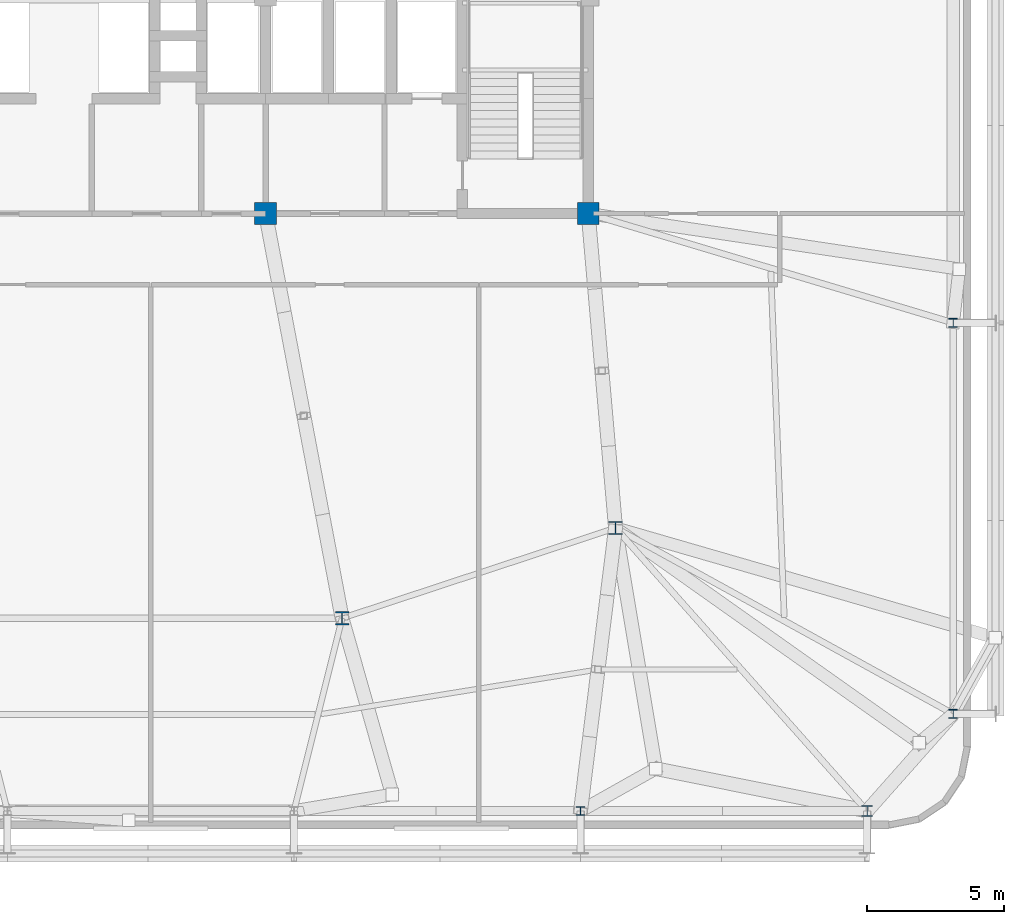
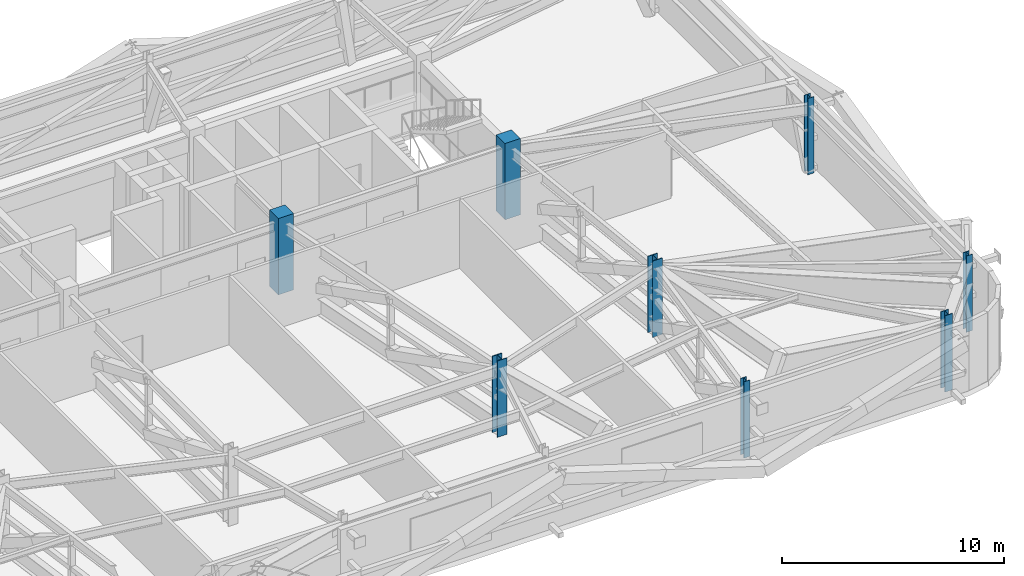
# One storey, part 2 of 24: 8 columns.
"""IFC4 building model written with IfcOpenShell, lengths in metres."""

from ifc_helpers import new_model, si_unit, direction, frame, origin, origin_2d, place, context, subcontext, project, spatial, rectangle, i_section, extrude, source, transform, mapped, material, material_profile, profile_set, type_object, element, save


model = new_model("IFC4")

# Units and contexts
model_context = context("Model", 3, precision=1e-05, world=origin(), true_north=direction((0.0, 1.0)))
body_context = subcontext(model_context, "Body", "Model", "MODEL_VIEW")
ifc_project = project(units=[si_unit("LENGTHUNIT", "METRE"), si_unit("AREAUNIT", "SQUARE_METRE"), si_unit("VOLUMEUNIT", "CUBIC_METRE"), si_unit("PLANEANGLEUNIT", "RADIAN"), si_unit("MASSUNIT", "GRAM", prefix="KILO")], contexts=[model_context])

# Site, building, storey
site_placement = place(None, origin())
site = spatial("IfcSite", under=ifc_project, at=site_placement, CompositionType="ELEMENT")
building_placement = place(site_placement, origin())
building = spatial("IfcBuilding", under=site, at=building_placement, Name="Taldren Reach Tower", CompositionType="ELEMENT")
storey_placement = place(building_placement, frame((0.0, 0.0, 60.89990234375)))
storey = spatial("IfcBuildingStorey", under=building, at=storey_placement, Name="L18", CompositionType="ELEMENT", Elevation=60.89990234375)

# Columns
ifc_material_1 = material(Name="Concrete S65 (65 MPa)", Category="concrete")
ifc_material_profile_1 = material_profile(ifc_material_1, rectangle(XDim=0.800048828125, YDim=0.800048828125, at=origin_2d()), Name="RC-800x800")
ifc_profile_set_1 = profile_set([ifc_material_profile_1], Name="Concrete S65 (65 MPa)")
column_type_1 = type_object("IfcColumnType", Name="COL-RC800", PredefinedType="COLUMN", material=ifc_profile_set_1)
shared_shape_1 = source(origin(), body_context, "Body", "SweptSolid", [
    extrude(rectangle(XDim=0.800048828125, YDim=0.800048828125, at=origin_2d()), origin(), (0.0, 0.0, 1.0), 4.2001953125),
])
for number, where, z_axis, x_axis, name in (
    (1, (39.199951171875, 24.0, 0.0), (0.0, 0.0, 1.0), (1.0, 0.0, 0.0), "Mega column MC-C3 L18"),
    (2, (51.0, 24.0, 0.0), (0.0, 0.0, 1.0), (1.0, 0.0, 0.0), "Mega column MC-C4 L18"),
):
    element("IfcColumn", number, at=place(storey_placement, frame(where, z_axis=z_axis, x_axis=x_axis)), inside=storey, type_object=column_type_1, Name=name, PredefinedType="COLUMN", context=body_context, shape_type="MappedRepresentation", body=[
        mapped(shared_shape_1, transform((0.0, 0.0, 0.0), scale=1.0)),
    ])
ifc_material_2 = material(Name="Steel Gr 350 (350PLUS)", Category="steel")
ifc_material_profile_2 = material_profile(ifc_material_2, i_section(OverallWidth=0.5, OverallDepth=0.47998046875, WebThickness=0.028076171875, FlangeThickness=0.0439453125, at=origin_2d()), Name="500WC440")
ifc_profile_set_2 = profile_set([ifc_material_profile_2], Name="Steel Gr 350 (350PLUS)")
column_type_2 = type_object("IfcColumnType", Name="COL-WC500A", PredefinedType="COLUMN", material=ifc_profile_set_2)
shared_shape_2 = source(origin(), body_context, "Body", "SweptSolid", [
    extrude(i_section(OverallWidth=0.5, OverallDepth=0.47998046875, WebThickness=0.028076171875, FlangeThickness=0.0439453125, at=origin_2d()), origin(), (0.0, 0.0, 1.0), 4.2001953125),
])
column_1_placement = place(storey_placement, frame((42.0, 9.199951171875, 0.0), z_axis=(0.0, 0.0, 1.0), x_axis=(1.0, 0.0, 0.0)))
element("IfcColumn", 3, at=column_1_placement, inside=storey, type_object=column_type_2, Name="Mega column MC-PJE L18", PredefinedType="COLUMN", context=body_context, shape_type="MappedRepresentation", body=[
    mapped(shared_shape_2, transform((0.0, 0.0, 0.0), scale=1.0)),
])
ifc_material_profile_3 = material_profile(ifc_material_2, i_section(OverallWidth=0.5, OverallDepth=0.464111328125, WebThickness=0.02197265625, FlangeThickness=0.033935546875, at=origin_2d()), Name="500WC340")
ifc_profile_set_3 = profile_set([ifc_material_profile_3], Name="Steel Gr 350 (350PLUS)")
column_type_3 = type_object("IfcColumnType", Name="COL-WC500B", PredefinedType="COLUMN", material=ifc_profile_set_3)
shared_shape_3 = source(origin(), body_context, "Body", "SweptSolid", [
    extrude(i_section(OverallWidth=0.5, OverallDepth=0.464111328125, WebThickness=0.02197265625, FlangeThickness=0.033935546875, at=origin_2d()), origin(), (0.0, 0.0, 1.0), 4.2001953125),
])
column_2_placement = place(storey_placement, frame((52.0, 12.5, 0.0), z_axis=(0.0, 0.0, 1.0), x_axis=(1.0, 0.0, 0.0)))
element("IfcColumn", 4, at=column_2_placement, inside=storey, type_object=column_type_3, Name="Mega column MC-SE L18", PredefinedType="COLUMN", context=body_context, shape_type="MappedRepresentation", body=[
    mapped(shared_shape_3, transform((0.0, 0.0, 0.0), scale=1.0)),
])
ifc_material_profile_4 = material_profile(ifc_material_2, i_section(OverallWidth=0.39990234375, OverallDepth=0.39599609375, WebThickness=0.02197265625, FlangeThickness=0.033935546875, at=origin_2d()), Name="400WC270")
ifc_profile_set_4 = profile_set([ifc_material_profile_4], Name="Steel Gr 350 (350PLUS)")
column_type_4 = type_object("IfcColumnType", Name="COL-WC400", PredefinedType="COLUMN", material=ifc_profile_set_4)
shared_shape_4 = source(origin(), body_context, "Body", "SweptSolid", [
    extrude(i_section(OverallWidth=0.39990234375, OverallDepth=0.39599609375, WebThickness=0.02197265625, FlangeThickness=0.033935546875, at=origin_2d()), origin(), (0.0, 0.0, 1.0), 4.2001953125),
])
column_3_placement = place(storey_placement, frame((61.199951171875, 2.14990234375, 0.0), z_axis=(0.0, 0.0, 1.0), x_axis=(1.0, 0.0, 0.0)))
element("IfcColumn", 5, at=column_3_placement, inside=storey, type_object=column_type_4, Name="Block B1 perimeter column S6 L18", PredefinedType="COLUMN", context=body_context, shape_type="MappedRepresentation", body=[
    mapped(shared_shape_4, transform((0.0, 0.0, 0.0), scale=1.0)),
])
ifc_material_profile_5 = material_profile(ifc_material_2, i_section(OverallWidth=0.31103515625, OverallDepth=0.326904296875, WebThickness=0.015625, FlangeThickness=0.02490234375, at=origin_2d()), Name="310UC158")
ifc_profile_set_5 = profile_set([ifc_material_profile_5], Name="Steel Gr 350 (350PLUS)")
column_type_5 = type_object("IfcColumnType", Name="COL-UC310A", PredefinedType="COLUMN", material=ifc_profile_set_5)
shared_shape_5 = source(origin(), body_context, "Body", "SweptSolid", [
    extrude(i_section(OverallWidth=0.31103515625, OverallDepth=0.326904296875, WebThickness=0.015625, FlangeThickness=0.02490234375, at=origin_2d()), origin(), (0.0, 0.0, 1.0), 4.2001953125),
])
for number, where, z_axis, x_axis, name in (
    (6, (50.719970703125, 2.14990234375, 0.0), (0.0, 0.0, 1.0), (1.0, 0.0, 0.0), "Block B1 perimeter column S5 L18"),
    (7, (64.35009765625, 5.699951171875, 0.0), (0.0, 0.0, 1.0), (1.0, 0.0, 0.0), "Block B1 perimeter column E1 L18"),
    (8, (64.35009765625, 20.0, 0.0), (0.0, 0.0, 1.0), (1.0, 0.0, 0.0), "Block B1 perimeter column E2 L18"),
):
    element("IfcColumn", number, at=place(storey_placement, frame(where, z_axis=z_axis, x_axis=x_axis)), inside=storey, type_object=column_type_5, Name=name, PredefinedType="COLUMN", context=body_context, shape_type="MappedRepresentation", body=[
        mapped(shared_shape_5, transform((0.0, 0.0, 0.0), scale=1.0)),
    ])

save(model, "model.ifc")
